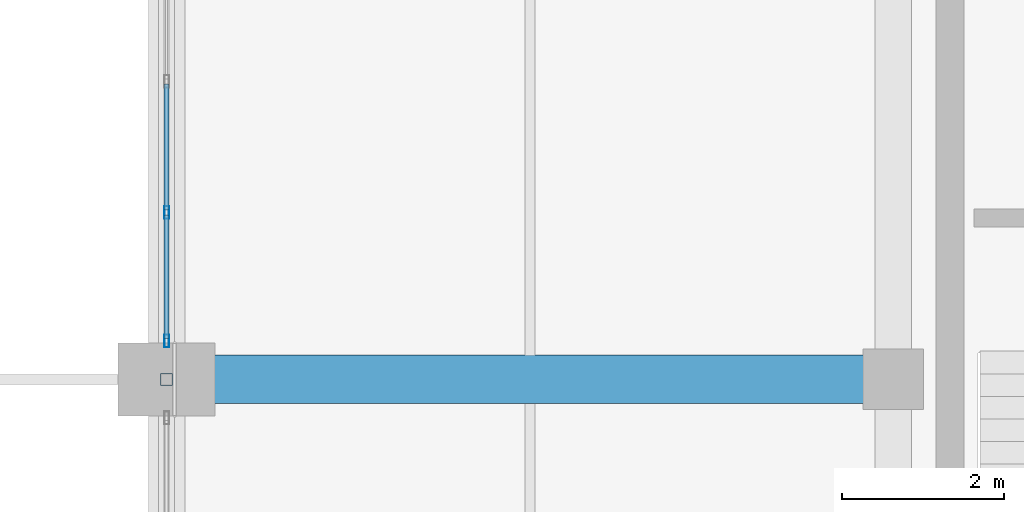
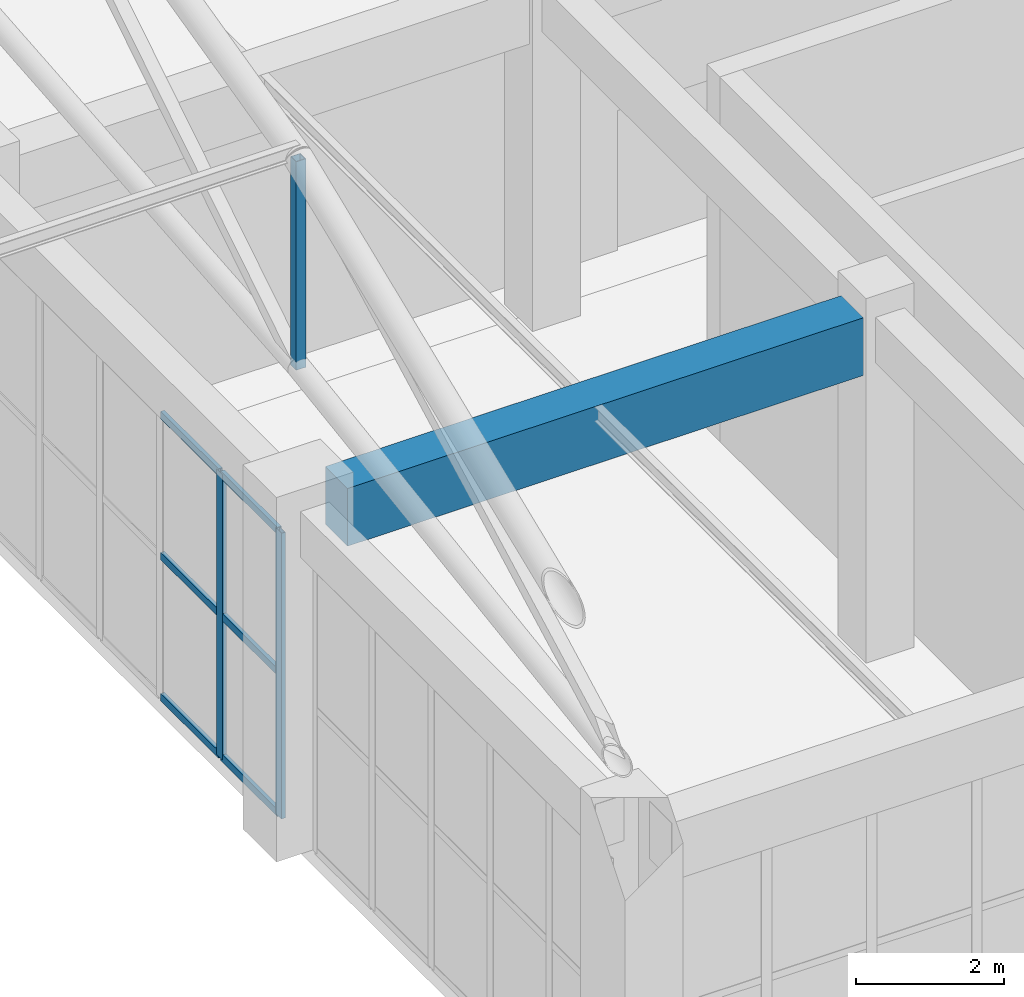
# One storey, part 93 of 223: 9 members, 1 beam, 1 element without a shape of its own.
"""IFC4 building model written with IfcOpenShell, lengths in metres."""

import ifcopenshell
import ifcopenshell.guid

model = None  # the IFC model being written
_history = None  # IfcOwnerHistory: only IFC2X3 demands one
_inside = {}  # id of a spatial element -> (the spatial element, [elements in it])
_under = {}  # id of a project, library or spatial element -> (it, [spatial elements below it])
_declared = {}  # id of a project -> (the project, [libraries it declares])
_typed = {}  # id of a type object -> (the type object, [elements of that type])
_made_of = {}  # id of a material, layer set ... -> (it, [elements and type objects made of it])


def new_model(schema):
    """Start an empty IFC model of exactly this schema.

    Asked for "IFC4X3", IfcOpenShell would pick the latest addendum, in which some entities
    have other attributes; the version numbers below select the first issue.
    IFC2X3 requires an IfcOwnerHistory on every rooted entity: one is made here for all.
    """
    global model, _history
    if schema == "IFC4X3":
        model = ifcopenshell.file(schema_version=(4, 3, 0, 0))
    else:
        model = ifcopenshell.file(schema=schema)
    _inside.clear()
    _under.clear()
    _declared.clear()
    _typed.clear()
    _made_of.clear()
    _history = None
    if model.schema == "IFC2X3":
        org = make("IfcOrganization", Name="unknown")
        user = make(
            "IfcPersonAndOrganization",
            ThePerson=make("IfcPerson", FamilyName="unknown"),
            TheOrganization=org,
        )
        app = make(
            "IfcApplication",
            ApplicationDeveloper=org,
            Version="unknown",
            ApplicationFullName="unknown",
            ApplicationIdentifier="unknown",
        )
        _history = make(
            "IfcOwnerHistory",
            OwningUser=user,
            OwningApplication=app,
            ChangeAction="ADDED",
            CreationDate=0,
        )
    return model


def make(cls, **values):
    """One entity of the class cls with the attributes given. An attribute that is None is left unset."""
    return model.create_entity(
        cls, **{name: value for name, value in values.items() if value is not None}
    )


def rooted(cls, **values):
    """An entity with a GlobalId (a new one), such as an element, a storey or a relation."""
    return make(cls, GlobalId=ifcopenshell.guid.new(), OwnerHistory=_history, **values)


def si_unit(unit_type, name, prefix=None):
    """IfcSIUnit, for example si_unit("LENGTHUNIT", "METRE", prefix="MILLI")."""
    return make("IfcSIUnit", UnitType=unit_type, Prefix=prefix, Name=name)


def assignment(units):
    """IfcUnitAssignment: the units of a project."""
    return None if units is None else make("IfcUnitAssignment", Units=units)


def point(xyz):
    """IfcCartesianPoint."""
    return None if xyz is None else make("IfcCartesianPoint", Coordinates=xyz)


def direction(xyz):
    """IfcDirection."""
    return None if xyz is None else make("IfcDirection", DirectionRatios=xyz)


def frame(location, z_axis=None, x_axis=None):
    """IfcAxis2Placement3D, a coordinate frame: its origin and axes. An axis left out is left unset."""
    return make(
        "IfcAxis2Placement3D",
        Location=point(location),
        Axis=direction(z_axis),
        RefDirection=direction(x_axis),
    )


def frame_2d(location, x_axis=None):
    """IfcAxis2Placement2D, a coordinate frame in the plane: its origin and x axis."""
    return make(
        "IfcAxis2Placement2D", Location=point(location), RefDirection=direction(x_axis)
    )


def origin():
    """The frame at (0, 0, 0) with its axes left unset."""
    return frame((0.0, 0.0, 0.0))


def origin_2d():
    """The frame at (0, 0) in the plane with its x axis left unset."""
    return frame_2d((0.0, 0.0))


def place(relative_to, where):
    """IfcLocalPlacement: puts the frame where relative to a parent placement (None: the world)."""
    return make(
        "IfcLocalPlacement", PlacementRelTo=relative_to, RelativePlacement=where
    )


def context(
    kind, dimensions, precision=None, world=None, true_north=None, identifier=None
):
    """IfcGeometricRepresentationContext, for example the 3D "Model" context."""
    return make(
        "IfcGeometricRepresentationContext",
        ContextIdentifier=identifier,
        ContextType=kind,
        CoordinateSpaceDimension=dimensions,
        Precision=precision,
        WorldCoordinateSystem=world,
        TrueNorth=true_north,
    )


def subcontext(parent, identifier, kind, view, scale=None):
    """IfcGeometricRepresentationSubContext, for example "Body" below "Model"."""
    return make(
        "IfcGeometricRepresentationSubContext",
        ContextIdentifier=identifier,
        ContextType=kind,
        ParentContext=parent,
        TargetScale=scale,
        TargetView=view,
    )


def project(units=None, contexts=None):
    """IfcProject with its units and contexts."""
    return rooted(
        "IfcProject",
        Name="project",
        RepresentationContexts=contexts,
        UnitsInContext=assignment(units),
    )


def spatial(cls, under=None, at=None, **own):
    """A site, building, storey or space (cls), placed at a placement, below another one or the project."""
    s = rooted(cls, ObjectPlacement=at, **own)
    if under is not None:
        _under.setdefault(under.id(), (under, []))[1].append(s)
    return s


def profile(cls, at=None, kind="AREA", **sizes):
    """A parametric profile (cls). Its sizes go by their IFC names, for example OverallWidth=200.0."""
    return make(cls, ProfileType=kind, Position=at, **sizes)


def rectangle(**sizes):
    """IfcRectangleProfileDef."""
    return profile("IfcRectangleProfileDef", **sizes)


def hollow_rectangle(**sizes):
    """IfcRectangleHollowProfileDef."""
    return profile("IfcRectangleHollowProfileDef", **sizes)


def extrude(swept, where, along, depth):
    """IfcExtrudedAreaSolid: the profile swept, set in the frame where, extruded along a direction by depth."""
    return make(
        "IfcExtrudedAreaSolid",
        SweptArea=swept,
        Position=where,
        ExtrudedDirection=direction(along),
        Depth=depth,
    )


def shape(context_of_items, identifier, shape_type, items):
    """IfcShapeRepresentation: the items that make up one representation, for example the "Body"."""
    return make(
        "IfcShapeRepresentation",
        ContextOfItems=context_of_items,
        RepresentationIdentifier=identifier,
        RepresentationType=shape_type,
        Items=items,
    )


def material(Name=None, Category=None):
    """IfcMaterial."""
    return make("IfcMaterial", Name=Name, Category=Category)


def layer(
    of_material, thickness, ventilated=None, Name=None, Category=None, Priority=None
):
    """IfcMaterialLayer: one layer of a wall or slab, of a material (None: an air gap)."""
    return make(
        "IfcMaterialLayer",
        Material=of_material,
        LayerThickness=thickness,
        IsVentilated=ventilated,
        Name=Name,
        Category=Category,
        Priority=Priority,
    )


def layer_set(layers, Name=None):
    """IfcMaterialLayerSet."""
    return make("IfcMaterialLayerSet", MaterialLayers=layers, LayerSetName=Name)


def material_profile(
    of_material, cross_section, Name=None, Category=None, Priority=None
):
    """IfcMaterialProfile: a cross section and its material."""
    return make(
        "IfcMaterialProfile",
        Name=Name,
        Material=of_material,
        Profile=cross_section,
        Priority=Priority,
        Category=Category,
    )


def profile_set(profiles, Name=None, composite=None):
    """IfcMaterialProfileSet."""
    return make(
        "IfcMaterialProfileSet",
        Name=Name,
        MaterialProfiles=profiles,
        CompositeProfile=composite,
    )


def made_of(thing, what):
    """Note that an element or type object is made of a material, layer set ...; save() writes the relation."""
    if what is not None:
        _made_of.setdefault(what.id(), (what, []))[1].append(thing)
    return thing


def type_object(cls, material=None, **own):
    """A type object (cls), such as IfcWallType, which elements share."""
    return made_of(rooted(cls, **own), material)


def element(
    cls,
    number,
    at=None,
    inside=None,
    cuts=None,
    type_object=None,
    material=None,
    context=None,
    identifier="Body",
    shape_type=None,
    held_by="IfcProductDefinitionShape",
    body=None,
    shapes=None,
    **own,
):
    """One element of the class cls, such as IfcWall. Its Tag is "e" and its number.

    at: its placement. inside: the storey or other place that contains it. cuts: it is an
    opening in that element (IfcRelVoidsElement). A single representation is given by context,
    identifier, shape_type and body (its items); several are given by shapes. held_by: the class
    of the entity that holds the representations. save() writes the other relations.
    """
    e = rooted(cls, Tag="e%d" % number, ObjectPlacement=at, **own)
    if body is not None:
        shapes = [shape(context, identifier, shape_type, body)]
    if shapes is not None:
        e.Representation = make(held_by, Representations=shapes)
    if inside is not None:
        _inside.setdefault(inside.id(), (inside, []))[1].append(e)
    if cuts is not None:
        rooted(
            "IfcRelVoidsElement", RelatingBuildingElement=cuts, RelatedOpeningElement=e
        )
    if type_object is not None:
        _typed.setdefault(type_object.id(), (type_object, []))[1].append(e)
    return made_of(e, material)


def aggregate(whole, parts):
    """IfcRelAggregates: a whole, such as a stair, and the parts it consists of."""
    return rooted("IfcRelAggregates", RelatingObject=whole, RelatedObjects=parts)


def save(model, path):
    """Write the relations noted so far, then the file.

    IfcRelAggregates (storeys below a building ...), IfcRelContainedInSpatialStructure (elements
    in a storey), IfcRelDefinesByType, IfcRelAssociatesMaterial and IfcRelDeclares: one each for
    every whole, place, type object, material and project.
    """
    for whole, parts in _under.values():
        aggregate(whole, parts)
    for where, things in _inside.values():
        rooted(
            "IfcRelContainedInSpatialStructure",
            RelatedElements=things,
            RelatingStructure=where,
        )
    for kind, things in _typed.values():
        rooted("IfcRelDefinesByType", RelatedObjects=things, RelatingType=kind)
    for what, things in _made_of.values():
        rooted("IfcRelAssociatesMaterial", RelatedObjects=things, RelatingMaterial=what)
    for by, libraries in _declared.values():
        rooted("IfcRelDeclares", RelatingContext=by, RelatedDefinitions=libraries)
    model.write(path)


model = new_model("IFC4")

# Units and contexts
model_context = context("Model", 3, precision=1e-05, world=origin(), true_north=direction((0.0, 1.0)))
body_context = subcontext(model_context, "Body", "Model", "MODEL_VIEW")
ifc_project = project(units=[si_unit("LENGTHUNIT", "METRE"), si_unit("AREAUNIT", "SQUARE_METRE"), si_unit("VOLUMEUNIT", "CUBIC_METRE"), si_unit("PLANEANGLEUNIT", "RADIAN"), si_unit("MASSUNIT", "GRAM", prefix="KILO")], contexts=[model_context])

# Site, building, storey
site_placement = place(None, origin())
site = spatial("IfcSite", under=ifc_project, at=site_placement, CompositionType="ELEMENT")
building_placement = place(site_placement, origin())
building = spatial("IfcBuilding", under=site, at=building_placement, Name="Dornveld Trade and Exhibition Forum", CompositionType="ELEMENT")
storey_placement = place(building_placement, frame((0.0, 0.0, 6.0)))
storey = spatial("IfcBuildingStorey", under=building, at=storey_placement, Name="L01", CompositionType="ELEMENT", Elevation=6.0)

# Beam
ifc_material_1 = material(Name="Precast concrete C50/60", Category="concrete")
ifc_material_profile_1 = material_profile(ifc_material_1, rectangle(XDim=0.60009765625, YDim=0.949951171875, at=origin_2d()), Name="PC-GIR 600x950")
ifc_profile_set_1 = profile_set([ifc_material_profile_1], Name="Precast concrete C50/60")
beam_type = type_object("IfcBeamType", Name="BM-PC-600x950", PredefinedType="T_BEAM", material=ifc_profile_set_1)
beam_placement = place(storey_placement, frame((171.595947265625, 117.0, 5.1650390625), z_axis=(1.0, 0.0, 0.0), x_axis=(0.0, 1.0, 0.0)))
element("IfcBeam", 1, at=beam_placement, inside=storey, type_object=beam_type, Name="L01 X-girder 1338", PredefinedType="T_BEAM", context=body_context, shape_type="SweptSolid", body=[
    extrude(rectangle(XDim=0.60009765625, YDim=0.949951171875, at=origin_2d()), origin(), (0.0, 0.0, 1.0), 8.032958984375),
])

# Curtain wall, members
ifc_material_2 = material(Name="Dark-bronze anodised aluminium and low-E glass", Category="aluminium")
ifc_layer = layer(ifc_material_2, 0.1689453125)
ifc_layer_set = layer_set([ifc_layer], Name="Dark-bronze anodised aluminium and low-E glass")
curtain_wall_type = type_object("IfcCurtainWallType", Name="CW-SYS-09", PredefinedType="USERDEFINED", material=ifc_layer_set)
curtain_wall_placement = place(storey_placement, origin())
curtain_wall = element("IfcCurtainWall", 2, at=curtain_wall_placement, inside=storey, type_object=curtain_wall_type, Name="L01 unitised curtain wall 9", ObjectType="UNITISED_CURTAIN_WALL", PredefinedType="USERDEFINED")
ifc_material_3 = material(Name="Dark-bronze anodised aluminium", Category="aluminium")
ifc_material_profile_2 = material_profile(ifc_material_3, hollow_rectangle(XDim=0.06005859375, YDim=0.159912109375, WallThickness=0.00390625, at=origin_2d()), Name="RHS 160x60x4")
ifc_profile_set_2 = profile_set([ifc_material_profile_2], Name="Dark-bronze anodised aluminium")
member_type_1 = type_object("IfcMemberType", Name="CW-MUL-160", PredefinedType="MULLION", material=ifc_profile_set_2)
member_1_placement = place(storey_placement, frame((171.0, 117.47607421875, -0.00390625), z_axis=(0.0, 0.0, 1.0), x_axis=(-1.0, 0.0, 0.0)))
member_1 = element("IfcMember", 3, at=member_1_placement, type_object=member_type_1, Name="CW-09 mullion 1", PredefinedType="MULLION", context=body_context, shape_type="SweptSolid", body=[
    extrude(hollow_rectangle(XDim=0.06005859375, YDim=0.159912109375, WallThickness=0.00390625, at=origin_2d()), origin(), (0.0, 0.0, 1.0), 4.703857421875),
])
member_2_placement = place(storey_placement, frame((171.0, 119.067626953125, -0.00390625), z_axis=(0.0, 0.0, 1.0), x_axis=(-1.0, 0.0, 0.0)))
member_2 = element("IfcMember", 4, at=member_2_placement, type_object=member_type_1, Name="CW-09 mullion 2", PredefinedType="MULLION", context=body_context, shape_type="SweptSolid", body=[
    extrude(hollow_rectangle(XDim=0.06005859375, YDim=0.159912109375, WallThickness=0.00390625, at=origin_2d()), origin(), (0.0, 0.0, 1.0), 4.703857421875),
])
ifc_material_4 = material(Name="Dark-bronze anodised aluminium", Category="aluminium")
ifc_material_profile_3 = material_profile(ifc_material_4, hollow_rectangle(XDim=0.06005859375, YDim=0.1201171875, WallThickness=0.00390625, at=origin_2d()), Name="RHS 120x60x4")
ifc_profile_set_3 = profile_set([ifc_material_profile_3], Name="Dark-bronze anodised aluminium")
member_type_2 = type_object("IfcMemberType", Name="CW-TRN-120", PredefinedType="USERDEFINED", material=ifc_profile_set_3)
member_3_placement = place(storey_placement, frame((171.0, 117.506103515625, 0.02587890625), z_axis=(0.0, 1.0, 0.0), x_axis=(-1.0, 0.0, 0.0)))
member_3 = element("IfcMember", 5, at=member_3_placement, type_object=member_type_2, Name="CW-09 transom 1.1", ObjectType="TRANSOM", PredefinedType="USERDEFINED", context=body_context, shape_type="SweptSolid", body=[
    extrude(hollow_rectangle(XDim=0.06005859375, YDim=0.1201171875, WallThickness=0.00390625, at=origin_2d()), origin(), (0.0, 0.0, 1.0), 1.531494140625),
])
member_4_placement = place(storey_placement, frame((171.0, 117.506103515625, 2.347900390625), z_axis=(0.0, 1.0, 0.0), x_axis=(-1.0, 0.0, 0.0)))
member_4 = element("IfcMember", 6, at=member_4_placement, type_object=member_type_2, Name="CW-09 transom 1.2", ObjectType="TRANSOM", PredefinedType="USERDEFINED", context=body_context, shape_type="SweptSolid", body=[
    extrude(hollow_rectangle(XDim=0.06005859375, YDim=0.1201171875, WallThickness=0.00390625, at=origin_2d()), origin(), (0.0, 0.0, 1.0), 1.531494140625),
])
member_5_placement = place(storey_placement, frame((171.0, 117.506103515625, 4.669921875), z_axis=(0.0, 1.0, 0.0), x_axis=(-1.0, 0.0, 0.0)))
member_5 = element("IfcMember", 7, at=member_5_placement, type_object=member_type_2, Name="CW-09 transom 1.3", ObjectType="TRANSOM", PredefinedType="USERDEFINED", context=body_context, shape_type="SweptSolid", body=[
    extrude(hollow_rectangle(XDim=0.06005859375, YDim=0.1201171875, WallThickness=0.00390625, at=origin_2d()), origin(), (0.0, 0.0, 1.0), 1.531494140625),
])
member_6_placement = place(storey_placement, frame((171.0, 119.09765625, 0.02587890625), z_axis=(0.0, 1.0, 0.0), x_axis=(-1.0, 0.0, 0.0)))
member_6 = element("IfcMember", 8, at=member_6_placement, type_object=member_type_2, Name="CW-09 transom 2.1", ObjectType="TRANSOM", PredefinedType="USERDEFINED", context=body_context, shape_type="SweptSolid", body=[
    extrude(hollow_rectangle(XDim=0.06005859375, YDim=0.1201171875, WallThickness=0.00390625, at=origin_2d()), origin(), (0.0, 0.0, 1.0), 1.5615234375),
])
member_7_placement = place(storey_placement, frame((171.0, 119.09765625, 2.347900390625), z_axis=(0.0, 1.0, 0.0), x_axis=(-1.0, 0.0, 0.0)))
member_7 = element("IfcMember", 9, at=member_7_placement, type_object=member_type_2, Name="CW-09 transom 2.2", ObjectType="TRANSOM", PredefinedType="USERDEFINED", context=body_context, shape_type="SweptSolid", body=[
    extrude(hollow_rectangle(XDim=0.06005859375, YDim=0.1201171875, WallThickness=0.00390625, at=origin_2d()), origin(), (0.0, 0.0, 1.0), 1.5615234375),
])
member_8_placement = place(storey_placement, frame((171.0, 119.09765625, 4.669921875), z_axis=(0.0, 1.0, 0.0), x_axis=(-1.0, 0.0, 0.0)))
member_8 = element("IfcMember", 10, at=member_8_placement, type_object=member_type_2, Name="CW-09 transom 2.3", ObjectType="TRANSOM", PredefinedType="USERDEFINED", context=body_context, shape_type="SweptSolid", body=[
    extrude(hollow_rectangle(XDim=0.06005859375, YDim=0.1201171875, WallThickness=0.00390625, at=origin_2d()), origin(), (0.0, 0.0, 1.0), 1.5615234375),
])
aggregate(curtain_wall, [member_1, member_2, member_3, member_4, member_5, member_6, member_7, member_8])

# Member
ifc_material_5 = material(Name="Steel S355J2", Category="steel")
ifc_material_profile_4 = material_profile(ifc_material_5, hollow_rectangle(XDim=0.14990234375, YDim=0.14990234375, WallThickness=0.008056640625, at=origin_2d()), Name="SHS 150x150x8")
ifc_profile_set_4 = profile_set([ifc_material_profile_4], Name="Steel S355J2")
member_type_3 = type_object("IfcMemberType", Name="MEM-ARCH-STR", PredefinedType="STRUT", material=ifc_profile_set_4)
member_9_placement = place(storey_placement, frame((171.0, 117.0, 7.683349609375), z_axis=(0.0, 0.0, 1.0), x_axis=(1.0, 0.0, 0.0)))
element("IfcMember", 11, at=member_9_placement, inside=storey, type_object=member_type_3, Name="H1 truss 9 strut 2", PredefinedType="STRUT", context=body_context, shape_type="SweptSolid", body=[
    extrude(hollow_rectangle(XDim=0.14990234375, YDim=0.14990234375, WallThickness=0.008056640625, at=origin_2d()), origin(), (0.0, 0.0, 1.0), 3.433349609375),
])

save(model, "model.ifc")
